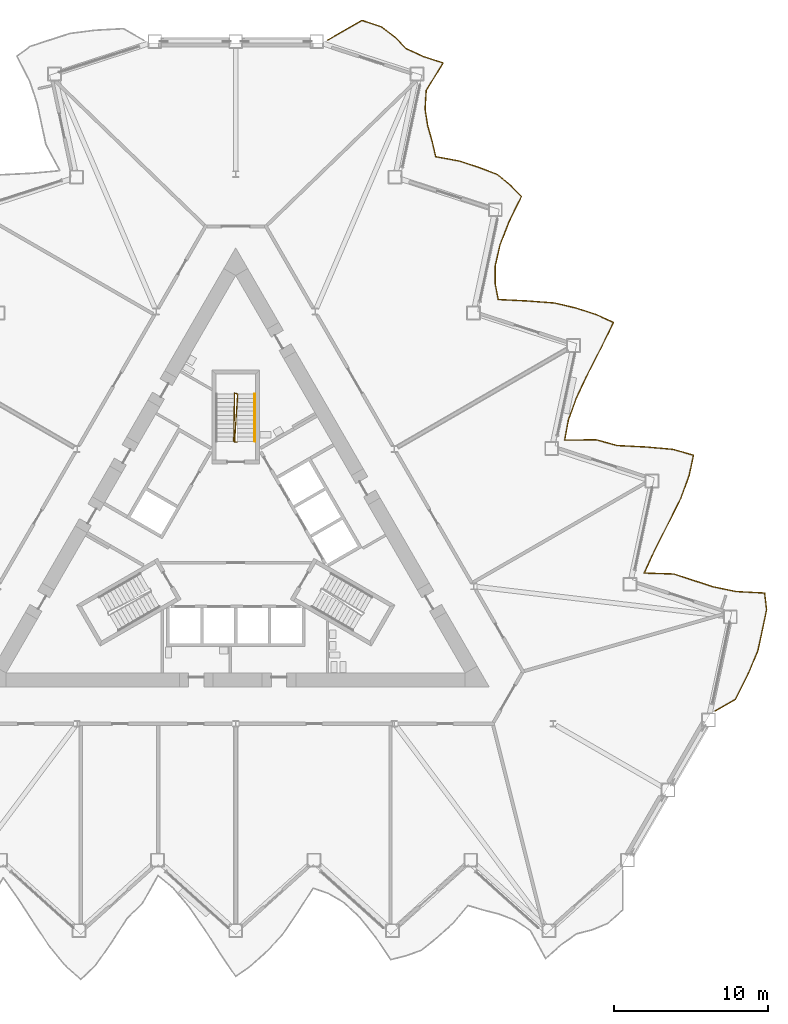
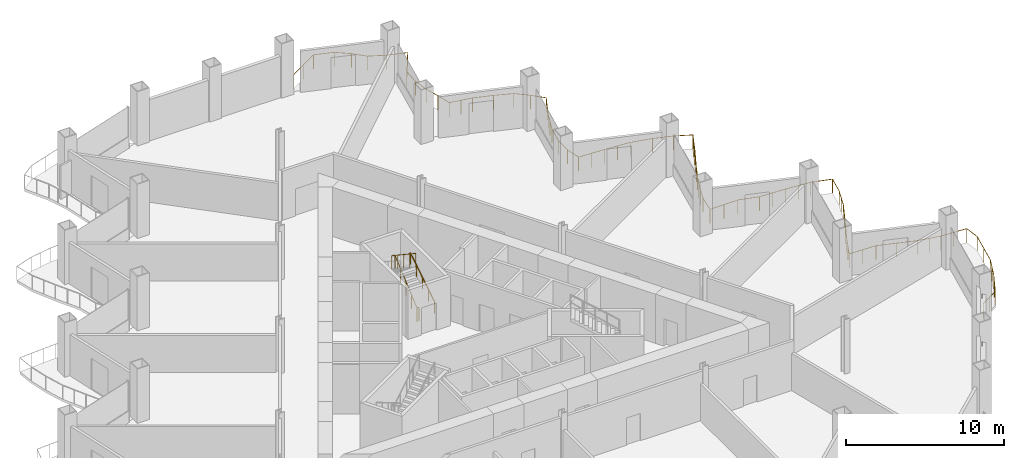
# One storey, part 19 of 21: 3 railings.
"""IFC4 building model written with IfcOpenShell, lengths in metres."""

from ifc_helpers import new_model, si_unit, direction, frame, origin, origin_2d, place, context, subcontext, project, spatial, circle, extrude, material, type_object, element, save


model = new_model("IFC4")

# Units and contexts
model_context = context("Model", 3, precision=1e-05, world=origin(), true_north=direction((0.0, 1.0)))
body_context = subcontext(model_context, "Body", "Model", "MODEL_VIEW")
ifc_project = project(units=[si_unit("LENGTHUNIT", "METRE"), si_unit("AREAUNIT", "SQUARE_METRE"), si_unit("VOLUMEUNIT", "CUBIC_METRE"), si_unit("PLANEANGLEUNIT", "RADIAN"), si_unit("MASSUNIT", "GRAM", prefix="KILO")], contexts=[model_context])

# Site, building, storey
site_placement = place(None, origin())
site = spatial("IfcSite", under=ifc_project, at=site_placement, CompositionType="ELEMENT")
building_placement = place(site_placement, origin())
building = spatial("IfcBuilding", under=site, at=building_placement, Name="Cormorant Prow Tower", CompositionType="ELEMENT")
storey_placement = place(building_placement, frame((0.0, 0.0, 124.800048828125)))
storey = spatial("IfcBuildingStorey", under=building, at=storey_placement, Name="L26", CompositionType="ELEMENT", Elevation=124.800048828125)

# Railings
ifc_material_1 = material(Name="Aluminium 6063-T6", Category="aluminium")
railing_type_1 = type_object("IfcRailingType", Name="Balcony guard 1100", PredefinedType="GUARDRAIL", material=ifc_material_1)
railing_1_placement = place(storey_placement, frame((31.207275390625, -11.1005859375, 0.0)))
element("IfcRailing", 1, at=railing_1_placement, inside=storey, type_object=railing_type_1, Name="Balcony guard ENE", PredefinedType="GUARDRAIL", context=body_context, shape_type="SweptSolid", body=[
    extrude(circle(Radius=0.02392578125, at=origin_2d()), frame((0.0, 0.0, 1.076171875), z_axis=(0.865990296034, 0.500060803479, 0.0), x_axis=(-0.500060803479, 0.865990296034, 0.0)), (0.0, 0.0, 1.0), 1.519775390625),
    extrude(circle(Radius=0.02392578125, at=origin_2d()), frame((1.316162109375, 0.760009765625, 1.076171875), z_axis=(0.451392924981, 0.892325292299, 0.0), x_axis=(-0.892325292299, 0.451392924981, 0.0)), (0.0, 0.0, 1.0), 1.84375),
    extrude(circle(Radius=0.02392578125, at=origin_2d()), frame((2.1484375, 2.4052734375, 1.076171875), z_axis=(0.385615377033, 0.922659623586, 0.0), x_axis=(-0.922659623586, 0.385615377033, 0.0)), (0.0, 0.0, 1.0), 1.663818359375),
    extrude(circle(Radius=0.02392578125, at=origin_2d()), frame((2.7900390625, 3.9404296875, 1.076171875), z_axis=(0.20793189794, 0.978143305359, 0.0), x_axis=(-0.978143305359, 0.20793189794, 0.0)), (0.0, 0.0, 1.0), 1.357421875),
    extrude(circle(Radius=0.02392578125, at=origin_2d()), frame((3.072265625, 5.26806640625, 1.076171875), z_axis=(0.20793189794, 0.978143305359, 0.0), x_axis=(-0.978143305359, 0.20793189794, 0.0)), (0.0, 0.0, 1.0), 1.357421875),
    extrude(circle(Radius=0.02392578125, at=origin_2d()), frame((3.3544921875, 6.595703125, 1.076171875), z_axis=(-0.119048700722, 0.992888416116, 0.0), x_axis=(-0.992888416116, -0.119048700722, 0.0)), (0.0, 0.0, 1.0), 1.09716796875),
    extrude(circle(Radius=0.02392578125, at=origin_2d()), frame((3.223876953125, 7.68505859375, 1.076171875), z_axis=(-0.998614548542, 0.052621131124, 0.0), x_axis=(-0.052621131124, -0.998614548542, 0.0)), (0.0, 0.0, 1.0), 1.851318359375),
    extrude(circle(Radius=0.02392578125, at=origin_2d()), frame((1.375244140625, 7.782470703125, 1.076171875), z_axis=(-0.979712782636, 0.200406745243, 0.0), x_axis=(-0.200406745243, -0.979712782636, 0.0)), (0.0, 0.0, 1.0), 1.520263671875),
    extrude(circle(Radius=0.02392578125, at=origin_2d()), frame((-0.1142578125, 8.087158203125, 1.076171875), z_axis=(-0.95106578465, 0.308988467857, 0.0), x_axis=(-0.308988467857, -0.95106578465, 0.0)), (0.0, 0.0, 1.0), 1.357421875),
    extrude(circle(Radius=0.02392578125, at=origin_2d()), frame((-1.4052734375, 8.506591796875, 1.076171875), z_axis=(-0.951048608924, 0.309041329701, 0.0), x_axis=(-0.309041329701, -0.951048608924, 0.0)), (0.0, 0.0, 1.0), 1.357177734375),
    extrude(circle(Radius=0.02392578125, at=origin_2d()), frame((-2.696044921875, 8.926025390625, 1.076171875), z_axis=(-0.999507836964, 0.031370110729, 0.0), x_axis=(-0.031370110729, -0.999507836964, 0.0)), (0.0, 0.0, 1.0), 1.91455078125),
    extrude(circle(Radius=0.02392578125, at=origin_2d()), frame((-4.609619140625, 8.986083984375, 1.076171875), z_axis=(0.415726590735, 0.90948963807, 0.0), x_axis=(-0.90948963807, 0.415726590735, 0.0)), (0.0, 0.0, 1.0), 1.739501953125),
    extrude(circle(Radius=0.02392578125, at=origin_2d()), frame((-3.886474609375, 10.568115234375, 1.076171875), z_axis=(0.45545157054, 0.890260561236, 0.0), x_axis=(-0.890260561236, 0.45545157054, 0.0)), (0.0, 0.0, 1.0), 1.85693359375),
    extrude(circle(Radius=0.02392578125, at=origin_2d()), frame((-3.040771484375, 12.22119140625, 1.076171875), z_axis=(0.445124600934, 0.895468642468, 0.0), x_axis=(-0.895468642468, 0.445124600934, 0.0)), (0.0, 0.0, 1.0), 1.82421875),
    extrude(circle(Radius=0.02392578125, at=origin_2d()), frame((-2.228759765625, 13.854736328125, 1.076171875), z_axis=(0.343401111987, 0.939188839524, 0.0), x_axis=(-0.939188839524, 0.343401111987, 0.0)), (0.0, 0.0, 1.0), 1.572021484375),
    extrude(circle(Radius=0.02392578125, at=origin_2d()), frame((-1.68896484375, 15.3310546875, 1.076171875), z_axis=(0.20793189794, 0.978143305359, 0.0), x_axis=(-0.978143305359, 0.20793189794, 0.0)), (0.0, 0.0, 1.0), 1.357421875),
    extrude(circle(Radius=0.02392578125, at=origin_2d()), frame((-1.40673828125, 16.65869140625, 1.076171875), z_axis=(-0.962318282404, 0.271925584215, 0.0), x_axis=(-0.271925584215, -0.962318282404, 0.0)), (0.0, 0.0, 1.0), 1.40771484375),
    extrude(circle(Radius=0.02392578125, at=origin_2d()), frame((-2.761474609375, 17.04150390625, 1.076171875), z_axis=(-0.996190400815, 0.087204846907, 0.0), x_axis=(-0.087204846907, -0.996190400815, 0.0)), (0.0, 0.0, 1.0), 1.758056640625),
    extrude(circle(Radius=0.02392578125, at=origin_2d()), frame((-4.512939453125, 17.19482421875, 1.076171875), z_axis=(-0.998782260805, 0.049335539945, 0.0), x_axis=(-0.049335539945, -0.998782260805, 0.0)), (0.0, 0.0, 1.0), 1.860595703125),
    extrude(circle(Radius=0.02392578125, at=origin_2d()), frame((-6.371337890625, 17.28662109375, 1.076171875), z_axis=(-0.96447330574, 0.264180321968, 0.0), x_axis=(-0.264180321968, -0.96447330574, 0.0)), (0.0, 0.0, 1.0), 1.41845703125),
    extrude(circle(Radius=0.02392578125, at=origin_2d()), frame((-7.739501953125, 17.661376953125, 1.076171875), z_axis=(-0.999948928032, -0.010106499273, 0.0), x_axis=(0.010106499273, -0.999948928032, 0.0)), (0.0, 0.0, 1.0), 2.05322265625),
    extrude(circle(Radius=0.02392578125, at=origin_2d()), frame((-9.792724609375, 17.640625, 1.076171875), z_axis=(0.182978187122, 0.983116973222, 0.0), x_axis=(-0.983116973222, 0.182978187122, 0.0)), (0.0, 0.0, 1.0), 1.32763671875),
    extrude(circle(Radius=0.02392578125, at=origin_2d()), frame((-9.5498046875, 18.94580078125, 1.076171875), z_axis=(0.342467233812, 0.939529772687, 0.0), x_axis=(-0.939529772687, 0.342467233812, 0.0)), (0.0, 0.0, 1.0), 1.56982421875),
    extrude(circle(Radius=0.02392578125, at=origin_2d()), frame((-9.01220703125, 20.420654296875, 1.076171875), z_axis=(0.42869500027, 0.903449277349, 0.0), x_axis=(-0.903449277349, 0.42869500027, 0.0)), (0.0, 0.0, 1.0), 1.775634765625),
    extrude(circle(Radius=0.02392578125, at=origin_2d()), frame((-8.2509765625, 22.02490234375, 1.076171875), z_axis=(0.457303588678, 0.889310647514, 0.0), x_axis=(-0.889310647514, 0.457303588678, 0.0)), (0.0, 0.0, 1.0), 1.86279296875),
    extrude(circle(Radius=0.02392578125, at=origin_2d()), frame((-7.399169921875, 23.681396484375, 1.076171875), z_axis=(0.436426755308, 0.899739788634, 0.0), x_axis=(-0.899739788634, 0.436426755308, 0.0)), (0.0, 0.0, 1.0), 1.7978515625),
    extrude(circle(Radius=0.02392578125, at=origin_2d()), frame((-6.614501953125, 25.299072265625, 1.076171875), z_axis=(-0.909642662794, 0.415391653773, 0.0), x_axis=(-0.415391653773, -0.909642662794, 0.0)), (0.0, 0.0, 1.0), 1.23828125),
    extrude(circle(Radius=0.02392578125, at=origin_2d()), frame((-7.740966796875, 25.8134765625, 1.076171875), z_axis=(-0.95106578465, 0.308988467857, 0.0), x_axis=(-0.308988467857, -0.95106578465, 0.0)), (0.0, 0.0, 1.0), 1.357421875),
    extrude(circle(Radius=0.02392578125, at=origin_2d()), frame((-9.031982421875, 26.23291015625, 1.076171875), z_axis=(-0.97374832443, 0.227627328475, 0.0), x_axis=(-0.227627328475, -0.97374832443, 0.0)), (0.0, 0.0, 1.0), 1.474853515625),
    extrude(circle(Radius=0.02392578125, at=origin_2d()), frame((-10.468017578125, 26.568603515625, 1.076171875), z_axis=(-0.997228200016, 0.074403743811, 0.0), x_axis=(-0.074403743811, -0.997228200016, 0.0)), (0.0, 0.0, 1.0), 1.79150390625),
    extrude(circle(Radius=0.02392578125, at=origin_2d()), frame((-12.254638671875, 26.701904296875, 1.076171875), z_axis=(-0.998830477716, 0.048349527257, 0.0), x_axis=(-0.048349527257, -0.998830477716, 0.0)), (0.0, 0.0, 1.0), 1.86328125),
    extrude(circle(Radius=0.02392578125, at=origin_2d()), frame((-14.11572265625, 26.7919921875, 1.076171875), z_axis=(-0.191359769009, 0.981519963528, 0.0), x_axis=(-0.981519963528, -0.191359769009, 0.0)), (0.0, 0.0, 1.0), 1.066650390625),
    extrude(circle(Radius=0.02392578125, at=origin_2d()), frame((-14.31982421875, 27.8388671875, 1.076171875), z_axis=(0.012277950627, 0.999924623123, 0.0), x_axis=(-0.999924623123, 0.012277950627, 0.0)), (0.0, 0.0, 1.0), 1.173095703125),
    extrude(circle(Radius=0.02392578125, at=origin_2d()), frame((-14.305419921875, 29.011962890625, 1.076171875), z_axis=(0.223214723197, 0.974769299552, 0.0), x_axis=(-0.974769299552, 0.223214723197, 0.0)), (0.0, 0.0, 1.0), 1.376953125),
    extrude(circle(Radius=0.02392578125, at=origin_2d()), frame((-13.998046875, 30.354248046875, 1.076171875), z_axis=(0.366291211804, 0.930500267681, 0.0), x_axis=(-0.930500267681, 0.366291211804, 0.0)), (0.0, 0.0, 1.0), 1.61962890625),
    extrude(circle(Radius=0.02392578125, at=origin_2d()), frame((-13.40478515625, 31.861328125, 1.076171875), z_axis=(0.439193160602, 0.898392657851, 0.0), x_axis=(-0.898392657851, 0.439193160602, 0.0)), (0.0, 0.0, 1.0), 1.80615234375),
    extrude(circle(Radius=0.02392578125, at=origin_2d()), frame((-12.611572265625, 33.48388671875, 1.076171875), z_axis=(-0.694791435855, 0.719211276791, 0.0), x_axis=(-0.719211276791, -0.694791435855, 0.0)), (0.0, 0.0, 1.0), 1.039794921875),
    extrude(circle(Radius=0.02392578125, at=origin_2d()), frame((-13.333984375, 34.231689453125, 1.076171875), z_axis=(-0.765754160623, 0.64313339634, 0.0), x_axis=(-0.64313339634, -0.765754160623, 0.0)), (0.0, 0.0, 1.0), 1.0732421875),
    extrude(circle(Radius=0.02392578125, at=origin_2d()), frame((-14.15576171875, 34.921875, 1.076171875), z_axis=(-0.93327766903, 0.359155666097, 0.0), x_axis=(-0.359155666097, -0.93327766903, 0.0)), (0.0, 0.0, 1.0), 1.296875),
    extrude(circle(Radius=0.02392578125, at=origin_2d()), frame((-15.3662109375, 35.3876953125, 1.076171875), z_axis=(-0.951048608924, 0.309041329701, 0.0), x_axis=(-0.309041329701, -0.951048608924, 0.0)), (0.0, 0.0, 1.0), 1.357177734375),
    extrude(circle(Radius=0.02392578125, at=origin_2d()), frame((-16.656982421875, 35.80712890625, 1.076171875), z_axis=(-0.983273667202, 0.182134278454, 0.0), x_axis=(-0.182134278454, -0.983273667202, 0.0)), (0.0, 0.0, 1.0), 1.553466796875),
    extrude(circle(Radius=0.02392578125, at=origin_2d()), frame((-18.1845703125, 36.090087890625, 1.076171875), z_axis=(-0.229969566072, 0.973197820939, 0.0), x_axis=(-0.973197820939, -0.229969566072, 0.0)), (0.0, 0.0, 1.0), 1.05322265625),
    extrude(circle(Radius=0.02392578125, at=origin_2d()), frame((-18.4267578125, 37.114990234375, 1.076171875), z_axis=(-0.272179004707, 0.962246636469, 0.0), x_axis=(-0.962246636469, -0.272179004707, 0.0)), (0.0, 0.0, 1.0), 1.04052734375),
    extrude(circle(Radius=0.02392578125, at=origin_2d()), frame((-18.7099609375, 38.1162109375, 1.076171875), z_axis=(-0.154941834834, 0.98792359412, 0.0), x_axis=(-0.98792359412, -0.154941834834, 0.0)), (0.0, 0.0, 1.0), 1.080810546875),
    extrude(circle(Radius=0.02392578125, at=origin_2d()), frame((-18.87744140625, 39.18408203125, 1.076171875), z_axis=(0.060178013957, 0.998187661032, 0.0), x_axis=(-0.998187661032, 0.060178013957, 0.0)), (0.0, 0.0, 1.0), 1.208984375),
    extrude(circle(Radius=0.02392578125, at=origin_2d()), frame((-18.8046875, 40.390869140625, 1.076171875), z_axis=(0.521173584421, 0.853450698577, 0.0), x_axis=(-0.853450698577, 0.521173584421, 0.0)), (0.0, 0.0, 1.0), 2.10791015625),
    extrude(circle(Radius=0.02392578125, at=origin_2d()), frame((-17.7060546875, 42.18994140625, 1.076171875), z_axis=(-0.95106578465, 0.308988467857, 0.0), x_axis=(-0.308988467857, -0.95106578465, 0.0)), (0.0, 0.0, 1.0), 1.357421875),
    extrude(circle(Radius=0.02392578125, at=origin_2d()), frame((-18.9970703125, 42.609375, 1.076171875), z_axis=(-0.90718713922, 0.420727339774, 0.0), x_axis=(-0.420727339774, -0.90718713922, 0.0)), (0.0, 0.0, 1.0), 1.233154296875),
    extrude(circle(Radius=0.02392578125, at=origin_2d()), frame((-20.11572265625, 43.128173828125, 1.076171875), z_axis=(-0.70110619683, 0.71305687064, 0.0), x_axis=(-0.71305687064, -0.70110619683, 0.0)), (0.0, 0.0, 1.0), 1.0419921875),
    extrude(circle(Radius=0.02392578125, at=origin_2d()), frame((-20.84619140625, 43.87109375, 1.076171875), z_axis=(-0.790629243767, 0.61229518935, 0.0), x_axis=(-0.61229518935, -0.790629243767, 0.0)), (0.0, 0.0, 1.0), 1.08984375),
    extrude(circle(Radius=0.02392578125, at=origin_2d()), frame((-21.707763671875, 44.538330078125, 1.076171875), z_axis=(-0.949582418545, 0.313517512095, 0.0), x_axis=(-0.313517512095, -0.949582418545, 0.0)), (0.0, 0.0, 1.0), 1.351806640625),
    extrude(circle(Radius=0.02392578125, at=origin_2d()), frame((-22.991455078125, 44.962158203125, 1.076171875), z_axis=(-0.86598941085, -0.50006233641, 0.0), x_axis=(0.50006233641, -0.86598941085, 0.0)), (0.0, 0.0, 1.0), 2.570068359375),
    extrude(circle(Radius=0.02099609375, at=origin_2d()), origin(), (0.0, 0.0, 1.0), 1.052001953125),
    extrude(circle(Radius=0.02099609375, at=origin_2d()), frame((0.658203125, 0.3798828125, 0.0)), (0.0, 0.0, 1.0), 1.052001953125),
    extrude(circle(Radius=0.02099609375, at=origin_2d()), frame((1.316162109375, 0.760009765625, 0.0)), (0.0, 0.0, 1.0), 1.052001953125),
    extrude(circle(Radius=0.02099609375, at=origin_2d()), frame((1.732421875, 1.58251953125, 0.0)), (0.0, 0.0, 1.0), 1.052001953125),
    extrude(circle(Radius=0.02099609375, at=origin_2d()), frame((2.1484375, 2.4052734375, 0.0)), (0.0, 0.0, 1.0), 1.052001953125),
    extrude(circle(Radius=0.02099609375, at=origin_2d()), frame((2.46923828125, 3.1728515625, 0.0)), (0.0, 0.0, 1.0), 1.052001953125),
    extrude(circle(Radius=0.02099609375, at=origin_2d()), frame((2.7900390625, 3.9404296875, 0.0)), (0.0, 0.0, 1.0), 1.052001953125),
    extrude(circle(Radius=0.02099609375, at=origin_2d()), frame((3.072265625, 5.26806640625, 0.0)), (0.0, 0.0, 1.0), 1.052001953125),
    extrude(circle(Radius=0.02099609375, at=origin_2d()), frame((3.3544921875, 6.595703125, 0.0)), (0.0, 0.0, 1.0), 1.052001953125),
    extrude(circle(Radius=0.02099609375, at=origin_2d()), frame((3.223876953125, 7.68505859375, 0.0)), (0.0, 0.0, 1.0), 1.052001953125),
    extrude(circle(Radius=0.02099609375, at=origin_2d()), frame((2.299560546875, 7.73388671875, 0.0)), (0.0, 0.0, 1.0), 1.052001953125),
    extrude(circle(Radius=0.02099609375, at=origin_2d()), frame((1.375244140625, 7.782470703125, 0.0)), (0.0, 0.0, 1.0), 1.052001953125),
    extrude(circle(Radius=0.02099609375, at=origin_2d()), frame((0.63037109375, 7.934814453125, 0.0)), (0.0, 0.0, 1.0), 1.052001953125),
    extrude(circle(Radius=0.02099609375, at=origin_2d()), frame((-0.1142578125, 8.087158203125, 0.0)), (0.0, 0.0, 1.0), 1.052001953125),
    extrude(circle(Radius=0.02099609375, at=origin_2d()), frame((-1.4052734375, 8.506591796875, 0.0)), (0.0, 0.0, 1.0), 1.052001953125),
    extrude(circle(Radius=0.02099609375, at=origin_2d()), frame((-2.696044921875, 8.926025390625, 0.0)), (0.0, 0.0, 1.0), 1.052001953125),
    extrude(circle(Radius=0.02099609375, at=origin_2d()), frame((-3.65283203125, 8.9560546875, 0.0)), (0.0, 0.0, 1.0), 1.052001953125),
    extrude(circle(Radius=0.02099609375, at=origin_2d()), frame((-4.609619140625, 8.986083984375, 0.0)), (0.0, 0.0, 1.0), 1.052001953125),
    extrude(circle(Radius=0.02099609375, at=origin_2d()), frame((-4.248046875, 9.777099609375, 0.0)), (0.0, 0.0, 1.0), 1.052001953125),
    extrude(circle(Radius=0.02099609375, at=origin_2d()), frame((-3.886474609375, 10.568115234375, 0.0)), (0.0, 0.0, 1.0), 1.052001953125),
    extrude(circle(Radius=0.02099609375, at=origin_2d()), frame((-3.463623046875, 11.39453125, 0.0)), (0.0, 0.0, 1.0), 1.052001953125),
    extrude(circle(Radius=0.02099609375, at=origin_2d()), frame((-3.040771484375, 12.22119140625, 0.0)), (0.0, 0.0, 1.0), 1.052001953125),
    extrude(circle(Radius=0.02099609375, at=origin_2d()), frame((-2.634765625, 13.0380859375, 0.0)), (0.0, 0.0, 1.0), 1.052001953125),
    extrude(circle(Radius=0.02099609375, at=origin_2d()), frame((-2.228759765625, 13.854736328125, 0.0)), (0.0, 0.0, 1.0), 1.052001953125),
    extrude(circle(Radius=0.02099609375, at=origin_2d()), frame((-1.958984375, 14.5927734375, 0.0)), (0.0, 0.0, 1.0), 1.052001953125),
    extrude(circle(Radius=0.02099609375, at=origin_2d()), frame((-1.68896484375, 15.3310546875, 0.0)), (0.0, 0.0, 1.0), 1.052001953125),
    extrude(circle(Radius=0.02099609375, at=origin_2d()), frame((-1.40673828125, 16.65869140625, 0.0)), (0.0, 0.0, 1.0), 1.052001953125),
    extrude(circle(Radius=0.02099609375, at=origin_2d()), frame((-2.761474609375, 17.04150390625, 0.0)), (0.0, 0.0, 1.0), 1.052001953125),
    extrude(circle(Radius=0.02099609375, at=origin_2d()), frame((-3.63720703125, 17.1181640625, 0.0)), (0.0, 0.0, 1.0), 1.052001953125),
    extrude(circle(Radius=0.02099609375, at=origin_2d()), frame((-4.512939453125, 17.19482421875, 0.0)), (0.0, 0.0, 1.0), 1.052001953125),
    extrude(circle(Radius=0.02099609375, at=origin_2d()), frame((-5.442138671875, 17.24072265625, 0.0)), (0.0, 0.0, 1.0), 1.052001953125),
    extrude(circle(Radius=0.02099609375, at=origin_2d()), frame((-6.371337890625, 17.28662109375, 0.0)), (0.0, 0.0, 1.0), 1.052001953125),
    extrude(circle(Radius=0.02099609375, at=origin_2d()), frame((-7.739501953125, 17.661376953125, 0.0)), (0.0, 0.0, 1.0), 1.052001953125),
    extrude(circle(Radius=0.02099609375, at=origin_2d()), frame((-8.76611328125, 17.65087890625, 0.0)), (0.0, 0.0, 1.0), 1.052001953125),
    extrude(circle(Radius=0.02099609375, at=origin_2d()), frame((-9.792724609375, 17.640625, 0.0)), (0.0, 0.0, 1.0), 1.052001953125),
    extrude(circle(Radius=0.02099609375, at=origin_2d()), frame((-9.5498046875, 18.94580078125, 0.0)), (0.0, 0.0, 1.0), 1.052001953125),
    extrude(circle(Radius=0.02099609375, at=origin_2d()), frame((-9.281005859375, 19.68310546875, 0.0)), (0.0, 0.0, 1.0), 1.052001953125),
    extrude(circle(Radius=0.02099609375, at=origin_2d()), frame((-9.01220703125, 20.420654296875, 0.0)), (0.0, 0.0, 1.0), 1.052001953125),
    extrude(circle(Radius=0.02099609375, at=origin_2d()), frame((-8.631591796875, 21.22265625, 0.0)), (0.0, 0.0, 1.0), 1.052001953125),
    extrude(circle(Radius=0.02099609375, at=origin_2d()), frame((-8.2509765625, 22.02490234375, 0.0)), (0.0, 0.0, 1.0), 1.052001953125),
    extrude(circle(Radius=0.02099609375, at=origin_2d()), frame((-7.8251953125, 22.85302734375, 0.0)), (0.0, 0.0, 1.0), 1.052001953125),
    extrude(circle(Radius=0.02099609375, at=origin_2d()), frame((-7.399169921875, 23.681396484375, 0.0)), (0.0, 0.0, 1.0), 1.052001953125),
    extrude(circle(Radius=0.02099609375, at=origin_2d()), frame((-7.0068359375, 24.490234375, 0.0)), (0.0, 0.0, 1.0), 1.052001953125),
    extrude(circle(Radius=0.02099609375, at=origin_2d()), frame((-6.614501953125, 25.299072265625, 0.0)), (0.0, 0.0, 1.0), 1.052001953125),
    extrude(circle(Radius=0.02099609375, at=origin_2d()), frame((-7.740966796875, 25.8134765625, 0.0)), (0.0, 0.0, 1.0), 1.052001953125),
    extrude(circle(Radius=0.02099609375, at=origin_2d()), frame((-9.031982421875, 26.23291015625, 0.0)), (0.0, 0.0, 1.0), 1.052001953125),
    extrude(circle(Radius=0.02099609375, at=origin_2d()), frame((-10.468017578125, 26.568603515625, 0.0)), (0.0, 0.0, 1.0), 1.052001953125),
    extrude(circle(Radius=0.02099609375, at=origin_2d()), frame((-11.361328125, 26.63525390625, 0.0)), (0.0, 0.0, 1.0), 1.052001953125),
    extrude(circle(Radius=0.02099609375, at=origin_2d()), frame((-12.254638671875, 26.701904296875, 0.0)), (0.0, 0.0, 1.0), 1.052001953125),
    extrude(circle(Radius=0.02099609375, at=origin_2d()), frame((-13.18505859375, 26.7470703125, 0.0)), (0.0, 0.0, 1.0), 1.052001953125),
    extrude(circle(Radius=0.02099609375, at=origin_2d()), frame((-14.11572265625, 26.7919921875, 0.0)), (0.0, 0.0, 1.0), 1.052001953125),
    extrude(circle(Radius=0.02099609375, at=origin_2d()), frame((-14.31982421875, 27.8388671875, 0.0)), (0.0, 0.0, 1.0), 1.052001953125),
    extrude(circle(Radius=0.02099609375, at=origin_2d()), frame((-14.305419921875, 29.011962890625, 0.0)), (0.0, 0.0, 1.0), 1.052001953125),
    extrude(circle(Radius=0.02099609375, at=origin_2d()), frame((-13.998046875, 30.354248046875, 0.0)), (0.0, 0.0, 1.0), 1.052001953125),
    extrude(circle(Radius=0.02099609375, at=origin_2d()), frame((-13.701416015625, 31.10791015625, 0.0)), (0.0, 0.0, 1.0), 1.052001953125),
    extrude(circle(Radius=0.02099609375, at=origin_2d()), frame((-13.40478515625, 31.861328125, 0.0)), (0.0, 0.0, 1.0), 1.052001953125),
    extrude(circle(Radius=0.02099609375, at=origin_2d()), frame((-13.00830078125, 32.672607421875, 0.0)), (0.0, 0.0, 1.0), 1.052001953125),
    extrude(circle(Radius=0.02099609375, at=origin_2d()), frame((-12.611572265625, 33.48388671875, 0.0)), (0.0, 0.0, 1.0), 1.052001953125),
    extrude(circle(Radius=0.02099609375, at=origin_2d()), frame((-13.333984375, 34.231689453125, 0.0)), (0.0, 0.0, 1.0), 1.052001953125),
    extrude(circle(Radius=0.02099609375, at=origin_2d()), frame((-14.15576171875, 34.921875, 0.0)), (0.0, 0.0, 1.0), 1.052001953125),
    extrude(circle(Radius=0.02099609375, at=origin_2d()), frame((-15.3662109375, 35.3876953125, 0.0)), (0.0, 0.0, 1.0), 1.052001953125),
    extrude(circle(Radius=0.02099609375, at=origin_2d()), frame((-16.656982421875, 35.80712890625, 0.0)), (0.0, 0.0, 1.0), 1.052001953125),
    extrude(circle(Radius=0.02099609375, at=origin_2d()), frame((-17.4208984375, 35.94873046875, 0.0)), (0.0, 0.0, 1.0), 1.052001953125),
    extrude(circle(Radius=0.02099609375, at=origin_2d()), frame((-18.1845703125, 36.090087890625, 0.0)), (0.0, 0.0, 1.0), 1.052001953125),
    extrude(circle(Radius=0.02099609375, at=origin_2d()), frame((-18.4267578125, 37.114990234375, 0.0)), (0.0, 0.0, 1.0), 1.052001953125),
    extrude(circle(Radius=0.02099609375, at=origin_2d()), frame((-18.7099609375, 38.1162109375, 0.0)), (0.0, 0.0, 1.0), 1.052001953125),
    extrude(circle(Radius=0.02099609375, at=origin_2d()), frame((-18.87744140625, 39.18408203125, 0.0)), (0.0, 0.0, 1.0), 1.052001953125),
    extrude(circle(Radius=0.02099609375, at=origin_2d()), frame((-18.8046875, 40.390869140625, 0.0)), (0.0, 0.0, 1.0), 1.052001953125),
    extrude(circle(Radius=0.02099609375, at=origin_2d()), frame((-18.25537109375, 41.29052734375, 0.0)), (0.0, 0.0, 1.0), 1.052001953125),
    extrude(circle(Radius=0.02099609375, at=origin_2d()), frame((-17.7060546875, 42.18994140625, 0.0)), (0.0, 0.0, 1.0), 1.052001953125),
    extrude(circle(Radius=0.02099609375, at=origin_2d()), frame((-18.9970703125, 42.609375, 0.0)), (0.0, 0.0, 1.0), 1.052001953125),
    extrude(circle(Radius=0.02099609375, at=origin_2d()), frame((-20.11572265625, 43.128173828125, 0.0)), (0.0, 0.0, 1.0), 1.052001953125),
    extrude(circle(Radius=0.02099609375, at=origin_2d()), frame((-20.84619140625, 43.87109375, 0.0)), (0.0, 0.0, 1.0), 1.052001953125),
    extrude(circle(Radius=0.02099609375, at=origin_2d()), frame((-21.707763671875, 44.538330078125, 0.0)), (0.0, 0.0, 1.0), 1.052001953125),
    extrude(circle(Radius=0.02099609375, at=origin_2d()), frame((-22.991455078125, 44.962158203125, 0.0)), (0.0, 0.0, 1.0), 1.052001953125),
    extrude(circle(Radius=0.02099609375, at=origin_2d()), frame((-24.104248046875, 44.319580078125, 0.0)), (0.0, 0.0, 1.0), 1.052001953125),
    extrude(circle(Radius=0.02099609375, at=origin_2d()), frame((-25.217041015625, 43.677001953125, 0.0)), (0.0, 0.0, 1.0), 1.052001953125),
])
ifc_material_2 = material(Name="Stainless steel", Category="steel")
railing_type_2 = type_object("IfcRailingType", Name="Stair guard 1100", PredefinedType="GUARDRAIL", material=ifc_material_2)
railing_2_placement = place(storey_placement, frame((0.074951171875, 6.40576171875, 0.0)))
element("IfcRailing", 2, at=railing_2_placement, inside=storey, type_object=railing_type_2, Name="L26 ST3 stair guard 1", PredefinedType="GUARDRAIL", context=body_context, shape_type="SweptSolid", body=[
    extrude(circle(Radius=0.02392578125, at=origin_2d()), frame((0.0, 0.0, 1.076171875), z_axis=(-1.0, 0.0, 0.0), x_axis=(0.0, -1.0, 0.0)), (0.0, 0.0, 1.0), 0.14990234375),
    extrude(circle(Radius=0.02392578125, at=origin_2d()), frame((-0.14990234375, 0.0, 1.076171875), z_axis=(0.052973824345, 0.829276437025, 0.556322177276), x_axis=(-0.997965923181, 0.063749636618, 0.0)), (0.0, 0.0, 1.0), 3.7744140625),
    extrude(circle(Radius=0.02392578125, at=origin_2d()), frame((0.050048828125, 3.130126953125, 3.17578125), z_axis=(-0.970072785993, 0.242814311512, 0.0), x_axis=(-0.242814311512, -0.970072785993, 0.0)), (0.0, 0.0, 1.0), 0.2060546875),
    extrude(circle(Radius=0.02392578125, at=origin_2d()), frame((-0.14990234375, 3.18017578125, 3.17578125), z_axis=(-0.013276620939, -0.830339302729, 0.557099967403), x_axis=(0.999872194171, -0.015987348866, 0.0)), (0.0, 0.0, 1.0), 3.769775390625),
    extrude(circle(Radius=0.02099609375, at=origin_2d()), origin(), (0.0, 0.0, 1.0), 1.052001953125),
    extrude(circle(Radius=0.02099609375, at=origin_2d()), frame((-0.14990234375, 0.0, 0.0)), (0.0, 0.0, 1.0), 1.052001953125),
    extrude(circle(Radius=0.02099609375, at=origin_2d()), frame((-0.099853515625, 0.782470703125, 0.52490234375)), (0.0, 0.0, 1.0), 1.052001953125),
    extrude(circle(Radius=0.02099609375, at=origin_2d()), frame((-0.0498046875, 1.56494140625, 1.0498046875)), (0.0, 0.0, 1.0), 1.052001953125),
    extrude(circle(Radius=0.02099609375, at=origin_2d()), frame((0.0, 2.34765625, 1.574951171875)), (0.0, 0.0, 1.0), 1.052001953125),
    extrude(circle(Radius=0.02099609375, at=origin_2d()), frame((0.050048828125, 3.130126953125, 2.099853515625)), (0.0, 0.0, 1.0), 1.052001953125),
    extrude(circle(Radius=0.02099609375, at=origin_2d()), frame((-0.14990234375, 3.18017578125, 2.099853515625)), (0.0, 0.0, 1.0), 1.052001953125),
    extrude(circle(Radius=0.02099609375, at=origin_2d()), frame((-0.162353515625, 2.397705078125, 2.625)), (0.0, 0.0, 1.0), 1.052001953125),
    extrude(circle(Radius=0.02099609375, at=origin_2d()), frame((-0.1748046875, 1.615234375, 3.14990234375)), (0.0, 0.0, 1.0), 1.052001953125),
    extrude(circle(Radius=0.02099609375, at=origin_2d()), frame((-0.1875, 0.83251953125, 3.6748046875)), (0.0, 0.0, 1.0), 1.052001953125),
    extrude(circle(Radius=0.02099609375, at=origin_2d()), frame((-0.199951171875, 0.050048828125, 4.199951171875)), (0.0, 0.0, 1.0), 1.052001953125),
])
ifc_material_3 = material(Name="Stainless steel", Category="steel")
railing_type_3 = type_object("IfcRailingType", Name="Stair handrail 900", PredefinedType="HANDRAIL", material=ifc_material_3)
railing_3_placement = place(storey_placement, frame((1.243896484375, 6.455810546875, 0.175048828125)))
element("IfcRailing", 3, at=railing_3_placement, inside=storey, type_object=railing_type_3, Name="L26 ST3 stair handrail 1", PredefinedType="HANDRAIL", context=body_context, shape_type="SweptSolid", body=[
    extrude(circle(Radius=0.02392578125, at=origin_2d()), frame((0.0, 0.0, 0.8759765625), z_axis=(0.0, 0.848028513186, 0.529950602248), x_axis=(-1.0, 0.0, 0.0)), (0.0, 0.0, 1.0), 3.632080078125),
    extrude(circle(Radius=0.02099609375, at=origin_2d()), origin(), (0.0, 0.0, 1.0), 0.851806640625),
    extrude(circle(Radius=0.02099609375, at=origin_2d()), frame((0.0, 0.77001953125, 0.481201171875)), (0.0, 0.0, 1.0), 0.851806640625),
    extrude(circle(Radius=0.02099609375, at=origin_2d()), frame((0.0, 1.5400390625, 0.96240234375)), (0.0, 0.0, 1.0), 0.851806640625),
    extrude(circle(Radius=0.02099609375, at=origin_2d()), frame((0.0, 2.31005859375, 1.443603515625)), (0.0, 0.0, 1.0), 0.851806640625),
    extrude(circle(Radius=0.02099609375, at=origin_2d()), frame((0.0, 3.080078125, 1.9248046875)), (0.0, 0.0, 1.0), 0.851806640625),
])

save(model, "model.ifc")
